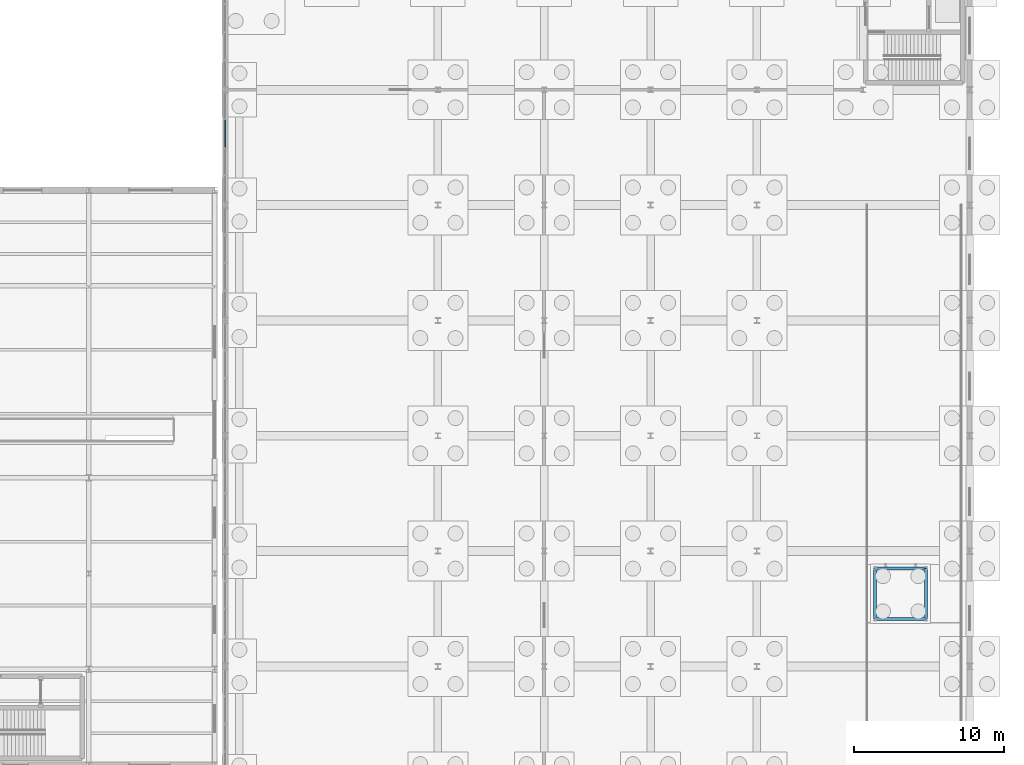
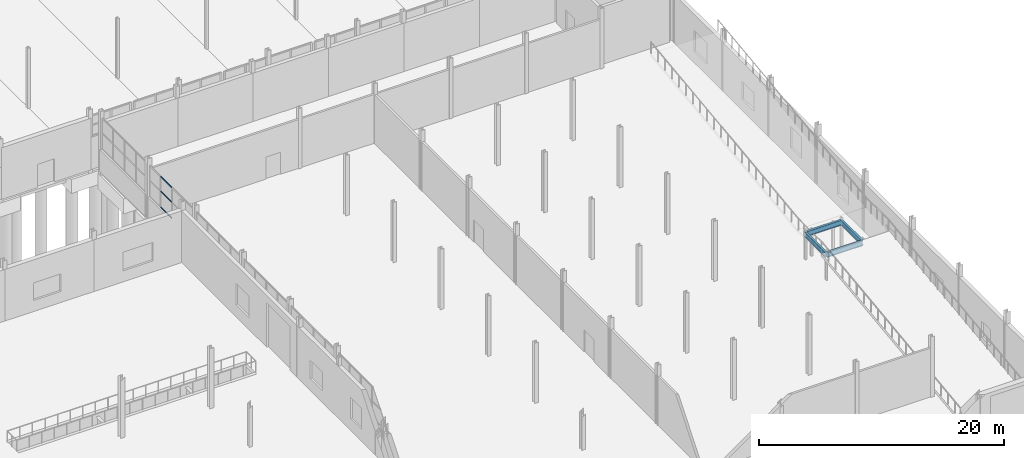
# One storey, part 81 of 139: 4 beams, 3 members, 1 element without a shape of its own.
"""IFC4 building model written with IfcOpenShell, lengths in metres."""

from ifc_helpers import new_model, si_unit, direction, frame, origin, origin_2d, place, context, subcontext, project, spatial, hollow_rectangle, i_section, extrude, material, material_profile, profile_set, type_object, element, aggregate, save


model = new_model("IFC4")

# Units and contexts
model_context = context("Model", 3, precision=1e-05, world=origin(), true_north=direction((0.0, 1.0)))
body_context = subcontext(model_context, "Body", "Model", "MODEL_VIEW")
ifc_project = project(units=[si_unit("LENGTHUNIT", "METRE"), si_unit("AREAUNIT", "SQUARE_METRE"), si_unit("VOLUMEUNIT", "CUBIC_METRE"), si_unit("PLANEANGLEUNIT", "RADIAN"), si_unit("MASSUNIT", "GRAM", prefix="KILO")], contexts=[model_context])

# Site, building, storey
site_placement = place(None, origin())
site = spatial("IfcSite", under=ifc_project, at=site_placement, CompositionType="ELEMENT")
building_placement = place(site_placement, origin())
building = spatial("IfcBuilding", under=site, at=building_placement, Name="Kazenagashi Tramway Depot", CompositionType="ELEMENT")
storey_placement = place(building_placement, origin())
storey = spatial("IfcBuildingStorey", under=building, at=storey_placement, Name="L01", CompositionType="ELEMENT", Elevation=0.0)

# Beams
ifc_material_1 = material(Name="Steel SN490B", Category="steel")
ifc_material_profile_1 = material_profile(ifc_material_1, i_section(OverallWidth=0.2, OverallDepth=0.5, WebThickness=0.01, FlangeThickness=0.016, at=origin_2d()), Name="H-500x200x10x16")
ifc_profile_set_1 = profile_set([ifc_material_profile_1], Name="Steel SN490B")
beam_type = type_object("IfcBeamType", Name="G-05", PredefinedType="BEAM", material=ifc_profile_set_1)
for number, where, z_axis, x_axis, name in (
    (1, (189.7, 26.25, 2.52), (1.0, 0.0, 0.0), (0.0, 1.0, 0.0), "Beam G-05 BM-2010"),
    (2, (189.7, 29.65, 2.52), (1.0, 0.0, 0.0), (0.0, 1.0, 0.0), "Beam G-05 BM-2011"),
    (3, (189.7, 26.25, 2.52), (0.0, 1.0, 0.0), (-1.0, 0.0, 0.0), "Beam G-05 BM-2012"),
    (4, (193.1, 26.25, 2.52), (0.0, 1.0, 0.0), (-1.0, 0.0, 0.0), "Beam G-05 BM-2013"),
):
    element("IfcBeam", number, at=place(storey_placement, frame(where, z_axis=z_axis, x_axis=x_axis)), inside=storey, type_object=beam_type, Name=name, PredefinedType="BEAM", context=body_context, shape_type="SweptSolid", body=[
        extrude(i_section(OverallWidth=0.2, OverallDepth=0.5, WebThickness=0.01, FlangeThickness=0.016, at=origin_2d()), origin(), (0.0, 0.0, 1.0), 3.4),
    ])

# Curtain wall, members
ifc_material_2 = material(Name="Anodised Aluminium and Low-E Glazing", Category="aluminium")
curtain_wall_type = type_object("IfcCurtainWallType", Name="CW-30", PredefinedType="USERDEFINED", material=ifc_material_2)
curtain_wall_placement = place(storey_placement, origin())
curtain_wall = element("IfcCurtainWall", 5, at=curtain_wall_placement, inside=storey, type_object=curtain_wall_type, Name="Industrial Glazed Screen CW-30 CW-0170", ObjectType="GLAZED SCREEN", PredefinedType="USERDEFINED")
ifc_material_3 = material(Name="Anodised Aluminium", Category="aluminium")
ifc_material_profile_2 = material_profile(ifc_material_3, hollow_rectangle(XDim=0.06, YDim=0.12, WallThickness=0.004, at=origin_2d()), Name="RHS-120x60x4")
ifc_profile_set_2 = profile_set([ifc_material_profile_2], Name="Anodised Aluminium")
member_type = type_object("IfcMemberType", Name="TR-01", PredefinedType="USERDEFINED", material=ifc_profile_set_2)
member_1_placement = place(storey_placement, frame((146.3, 57.78, 2.23), z_axis=(0.0, 1.0, 0.0), x_axis=(-1.0, 0.0, 0.0)))
member_1 = element("IfcMember", 6, at=member_1_placement, type_object=member_type, Name="CW-30 transom 3.1", ObjectType="TRANSOM", PredefinedType="USERDEFINED", context=body_context, shape_type="SweptSolid", body=[
    extrude(hollow_rectangle(XDim=0.06, YDim=0.12, WallThickness=0.004, at=origin_2d()), origin(), (0.0, 0.0, 1.0), 1.795),
])
member_2_placement = place(storey_placement, frame((146.3, 57.78, 3.822), z_axis=(0.0, 1.0, 0.0), x_axis=(-1.0, 0.0, 0.0)))
member_2 = element("IfcMember", 7, at=member_2_placement, type_object=member_type, Name="CW-30 transom 3.2", ObjectType="TRANSOM", PredefinedType="USERDEFINED", context=body_context, shape_type="SweptSolid", body=[
    extrude(hollow_rectangle(XDim=0.06, YDim=0.12, WallThickness=0.004, at=origin_2d()), origin(), (0.0, 0.0, 1.0), 1.795),
])
member_3_placement = place(storey_placement, frame((146.3, 57.78, 5.29), z_axis=(0.0, 1.0, 0.0), x_axis=(-1.0, 0.0, 0.0)))
member_3 = element("IfcMember", 8, at=member_3_placement, type_object=member_type, Name="CW-30 transom 3.3", ObjectType="TRANSOM", PredefinedType="USERDEFINED", context=body_context, shape_type="SweptSolid", body=[
    extrude(hollow_rectangle(XDim=0.06, YDim=0.12, WallThickness=0.004, at=origin_2d()), origin(), (0.0, 0.0, 1.0), 1.795),
])
aggregate(curtain_wall, [member_1, member_2, member_3])

save(model, "model.ifc")
